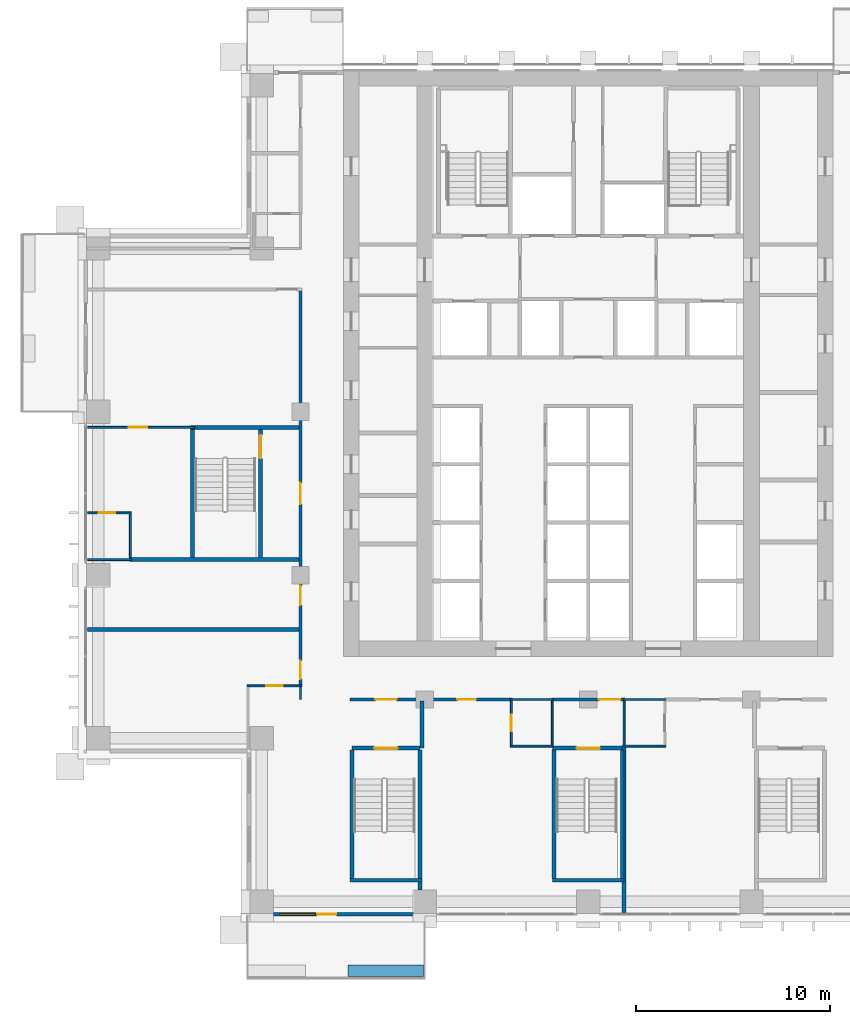
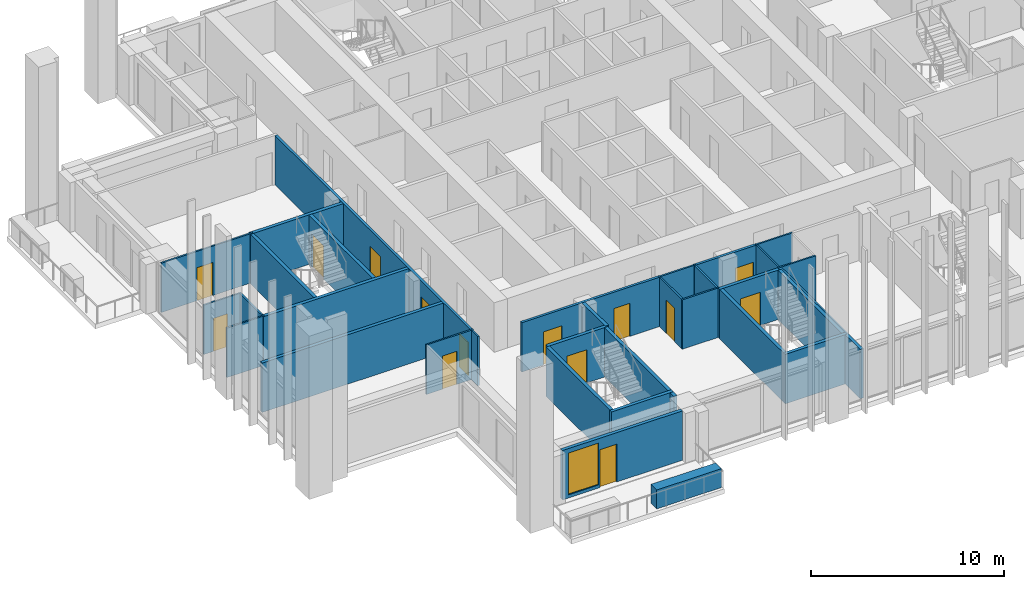
# One storey, part 7 of 18: 33 walls, 14 doors, 1 window, 15 openings.
"""IFC4 building model written with IfcOpenShell, lengths in metres."""

from ifc_helpers import new_model, si_unit, direction, frame, frame_2d, origin, place, context, subcontext, project, spatial, rectangle, extrude, material, layer, layer_set, type_object, element, fill, save


model = new_model("IFC4")

# Units and contexts
model_context = context("Model", 3, precision=1e-05, world=origin(), true_north=direction((0.0, 1.0)))
body_context = subcontext(model_context, "Body", "Model", "MODEL_VIEW")
ifc_project = project(units=[si_unit("LENGTHUNIT", "METRE"), si_unit("AREAUNIT", "SQUARE_METRE"), si_unit("VOLUMEUNIT", "CUBIC_METRE"), si_unit("PLANEANGLEUNIT", "RADIAN"), si_unit("MASSUNIT", "GRAM", prefix="KILO")], contexts=[model_context])

# Site, building, storey
site_placement = place(None, origin())
site = spatial("IfcSite", under=ifc_project, at=site_placement, CompositionType="ELEMENT")
building_placement = place(site_placement, origin())
building = spatial("IfcBuilding", under=site, at=building_placement, Name="Vermilion Ogive Tower", CompositionType="ELEMENT")
storey_placement = place(building_placement, frame((0.0, 0.0, 80.39990234375)))
storey = spatial("IfcBuildingStorey", under=building, at=storey_placement, Name="L19", CompositionType="ELEMENT", Elevation=80.39990234375)

# Walls
ifc_material_1 = material(Name="Gypsum board partition on steel studs", Category="steel")
ifc_layer_1 = layer(ifc_material_1, 0.10009765625)
ifc_layer_set_1 = layer_set([ifc_layer_1], Name="Partition 100 bath")
wall_type_1 = type_object("IfcWallType", Name="Partition 100 bath", PredefinedType="PARTITIONING", material=ifc_layer_set_1)
wall_1_placement = place(storey_placement, frame((-4.0, -13.0, 0.0), z_axis=(0.0, 0.0, 1.0), x_axis=(1.0, 0.0, 0.0)))
element("IfcWall", 1, at=wall_1_placement, inside=storey, type_object=wall_type_1, Name="L19-W-W005", PredefinedType="PARTITIONING", context=body_context, shape_type="SweptSolid", body=[
    extrude(rectangle(XDim=2.199951171875, YDim=0.10009765625, at=frame_2d((1.10009765625, 0.0))), origin(), (0.0, 0.0, 1.0), 3.130126953125),
])
wall_2_placement = place(storey_placement, frame((1.75, -13.0, 0.0), z_axis=(0.0, 0.0, 1.0), x_axis=(1.0, 0.0, 0.0)))
element("IfcWall", 2, at=wall_2_placement, inside=storey, type_object=wall_type_1, Name="L19-W-W006", PredefinedType="PARTITIONING", context=body_context, shape_type="SweptSolid", body=[
    extrude(rectangle(XDim=2.25, YDim=0.10009765625, at=frame_2d((1.125, 0.0))), origin(), (0.0, 0.0, 1.0), 3.130126953125),
])
for number, where, z_axis, x_axis, name in (
    (3, (-4.0, -10.60009765625, 0.0), (0.0, 0.0, 1.0), (1.0, 0.0, 0.0), "L19-W-W008"),
    (4, (1.800048828125, -10.60009765625, 0.0), (0.0, 0.0, 1.0), (1.0, 0.0, 0.0), "L19-W-W010"),
):
    element("IfcWall", number, at=place(storey_placement, frame(where, z_axis=z_axis, x_axis=x_axis)), inside=storey, type_object=wall_type_1, Name=name, PredefinedType="PARTITIONING", context=body_context, shape_type="SweptSolid", body=[
        extrude(rectangle(XDim=2.199951171875, YDim=0.10009765625, at=frame_2d((1.10009765625, 0.0))), origin(), (0.0, 0.0, 1.0), 3.130126953125),
    ])

# Wall, opening, door
wall_3_placement = place(storey_placement, frame((-17.550048828125, -9.89990234375, 0.0), z_axis=(0.0, 0.0, 1.0), x_axis=(1.0, 0.0, 0.0)))
wall_3 = element("IfcWall", 5, at=wall_3_placement, inside=storey, type_object=wall_type_1, Name="L19-W-W013", PredefinedType="PARTITIONING", context=body_context, shape_type="SweptSolid", body=[
    extrude(rectangle(XDim=2.824951171875, YDim=0.10009765625, at=frame_2d((1.41259765625, 0.0))), origin(), (0.0, 0.0, 1.0), 3.130126953125),
])
opening_1_placement = place(wall_3_placement, frame((0.97509765625, 0.0, 0.0)))
opening_1 = element("IfcOpeningElement", 6, at=opening_1_placement, cuts=wall_3, Name="Opening D2G1002", PredefinedType="OPENING", context=body_context, shape_type="SweptSolid", body=[
    extrude(rectangle(XDim=0.85009765625, YDim=2.10009765625, at=frame_2d((0.425048828125, 1.050048828125))), frame((0.0, 0.06005859375, 0.0), z_axis=(0.0, -1.0, 0.0), x_axis=(1.0, 0.0, 0.0)), (0.0, 0.0, 1.0), 0.1201171875),
])
ifc_material_2 = material(Name="Timber door leaf", Category="wood")
door_type_1 = type_object("IfcDoorType", Name="Bath door 850 x 2100 FD30", OperationType="SINGLE_SWING_LEFT", PredefinedType="DOOR", material=ifc_material_2)
door_1_placement = place(opening_1_placement, origin())
door_1 = element("IfcDoor", 7, at=door_1_placement, inside=storey, type_object=door_type_1, Name="L19-D-D002", OperationType="SINGLE_SWING_RIGHT", OverallHeight=2.10009765625, OverallWidth=0.85009765625, PredefinedType="DOOR", context=body_context, shape_type="SweptSolid", body=[
    extrude(rectangle(XDim=0.85009765625, YDim=2.10009765625, at=frame_2d((0.425048828125, 1.050048828125))), frame((0.0, 0.02490234375, 0.0), z_axis=(0.0, -1.0, 0.0), x_axis=(1.0, 0.0, 0.0)), (0.0, 0.0, 1.0), 0.050048828125),
])
fill(opening_1, door_1)

# Wall
wall_4_placement = place(storey_placement, frame((-25.75, -3.39990234375, 0.0), z_axis=(0.0, 0.0, 1.0), x_axis=(1.0, 0.0, 0.0)))
element("IfcWall", 8, at=wall_4_placement, inside=storey, type_object=wall_type_1, Name="L19-W-W016", PredefinedType="PARTITIONING", context=body_context, shape_type="SweptSolid", body=[
    extrude(rectangle(XDim=2.25, YDim=0.10009765625, at=frame_2d((1.125, 0.0))), origin(), (0.0, 0.0, 1.0), 3.130126953125),
])

# Wall, opening, door
wall_5_placement = place(storey_placement, frame((-25.75, -1.0, 0.0), z_axis=(0.0, 0.0, 1.0), x_axis=(1.0, 0.0, 0.0)))
wall_5 = element("IfcWall", 9, at=wall_5_placement, inside=storey, type_object=wall_type_1, Name="L19-W-W021", PredefinedType="PARTITIONING", context=body_context, shape_type="SweptSolid", body=[
    extrude(rectangle(XDim=2.25, YDim=0.10009765625, at=frame_2d((1.125, 0.0))), origin(), (0.0, 0.0, 1.0), 3.130126953125),
])
opening_2_placement = place(wall_5_placement, frame((0.574951171875, 0.0, 0.0)))
opening_2 = element("IfcOpeningElement", 10, at=opening_2_placement, cuts=wall_5, Name="Opening D2G1005", PredefinedType="OPENING", context=body_context, shape_type="SweptSolid", body=[
    extrude(rectangle(XDim=0.85009765625, YDim=2.10009765625, at=frame_2d((0.425048828125, 1.050048828125))), frame((0.0, 0.06005859375, 0.0), z_axis=(0.0, -1.0, 0.0), x_axis=(1.0, 0.0, 0.0)), (0.0, 0.0, 1.0), 0.1201171875),
])
door_2_placement = place(opening_2_placement, origin())
door_2 = element("IfcDoor", 11, at=door_2_placement, inside=storey, type_object=door_type_1, Name="L19-D-D005", OperationType="SINGLE_SWING_RIGHT", OverallHeight=2.10009765625, OverallWidth=0.85009765625, PredefinedType="DOOR", context=body_context, shape_type="SweptSolid", body=[
    extrude(rectangle(XDim=0.85009765625, YDim=2.10009765625, at=frame_2d((0.425048828125, 1.050048828125))), frame((0.0, 0.02490234375, 0.0), z_axis=(0.0, -1.0, 0.0), x_axis=(1.0, 0.0, 0.0)), (0.0, 0.0, 1.0), 0.050048828125),
])
fill(opening_2, door_2)

# Walls
wall_6_placement = place(storey_placement, frame((-23.550048828125, -3.300048828125, 0.0), z_axis=(0.0, 0.0, 1.0), x_axis=(0.0, 1.0, 0.0)))
element("IfcWall", 12, at=wall_6_placement, inside=storey, type_object=wall_type_1, Name="L19-W-W039", PredefinedType="PARTITIONING", context=body_context, shape_type="SweptSolid", body=[
    extrude(rectangle(XDim=2.25, YDim=0.10009765625, at=frame_2d((1.125, 0.0))), origin(), (0.0, 0.0, 1.0), 3.130126953125),
])
wall_7_placement = place(storey_placement, frame((-14.800048828125, -10.60009765625, 0.0), z_axis=(0.0, 0.0, 1.0), x_axis=(0.0, 1.0, 0.0)))
element("IfcWall", 13, at=wall_7_placement, inside=storey, type_object=wall_type_1, Name="L19-W-W044", PredefinedType="PARTITIONING", context=body_context, shape_type="SweptSolid", body=[
    extrude(rectangle(XDim=0.650146484375, YDim=0.10009765625, at=frame_2d((0.3251953125, 0.0))), origin(), (0.0, 0.0, 1.0), 3.130126953125),
])

# Wall, opening, door
wall_8_placement = place(storey_placement, frame((-3.949951171875, -12.949951171875, 0.0), z_axis=(0.0, 0.0, 1.0), x_axis=(0.0, 1.0, 0.0)))
wall_8 = element("IfcWall", 14, at=wall_8_placement, inside=storey, type_object=wall_type_1, Name="L19-W-W049", PredefinedType="PARTITIONING", context=body_context, shape_type="SweptSolid", body=[
    extrude(rectangle(XDim=2.27490234375, YDim=0.10009765625, at=frame_2d((1.137451171875, 0.0))), origin(), (0.0, 0.0, 1.0), 3.130126953125),
])
opening_3_placement = place(wall_8_placement, frame((0.724853515625, 0.0, 0.0)))
opening_3 = element("IfcOpeningElement", 15, at=opening_3_placement, cuts=wall_8, Name="Opening D2G1010", PredefinedType="OPENING", context=body_context, shape_type="SweptSolid", body=[
    extrude(rectangle(XDim=0.85009765625, YDim=2.10009765625, at=frame_2d((0.425048828125, 1.050048828125))), frame((0.0, 0.06005859375, 0.0), z_axis=(0.0, -1.0, 0.0), x_axis=(1.0, 0.0, 0.0)), (0.0, 0.0, 1.0), 0.1201171875),
])
door_3_placement = place(opening_3_placement, origin())
door_3 = element("IfcDoor", 16, at=door_3_placement, inside=storey, type_object=door_type_1, Name="L19-D-D010", OperationType="SINGLE_SWING_RIGHT", OverallHeight=2.10009765625, OverallWidth=0.85009765625, PredefinedType="DOOR", context=body_context, shape_type="SweptSolid", body=[
    extrude(rectangle(XDim=0.85009765625, YDim=2.10009765625, at=frame_2d((0.425048828125, 1.050048828125))), frame((0.0, 0.02490234375, 0.0), z_axis=(0.0, -1.0, 0.0), x_axis=(1.0, 0.0, 0.0)), (0.0, 0.0, 1.0), 0.050048828125),
])
fill(opening_3, door_3)

# Walls
for number, where, z_axis, x_axis, name in (
    (17, (-1.85009765625, -12.949951171875, 0.0), (0.0, 0.0, 1.0), (0.0, 1.0, 0.0), "L19-W-W050"),
    (18, (1.85009765625, -12.949951171875, 0.0), (0.0, 0.0, 1.0), (0.0, 1.0, 0.0), "L19-W-W054"),
):
    element("IfcWall", number, at=place(storey_placement, frame(where, z_axis=z_axis, x_axis=x_axis)), inside=storey, type_object=wall_type_1, Name=name, PredefinedType="PARTITIONING", context=body_context, shape_type="SweptSolid", body=[
        extrude(rectangle(XDim=2.27490234375, YDim=0.10009765625, at=frame_2d((1.137451171875, 0.0))), origin(), (0.0, 0.0, 1.0), 3.130126953125),
    ])

# Wall, opening, door
ifc_material_3 = material(Name="Gypsum board partition on steel studs", Category="steel")
ifc_layer_2 = layer(ifc_material_3, 0.10009765625)
ifc_layer_set_2 = layer_set([ifc_layer_2], Name="Partition 100 inner")
wall_type_2 = type_object("IfcWallType", Name="Partition 100 inner", PredefinedType="PARTITIONING", material=ifc_layer_set_2)
wall_9_placement = place(storey_placement, frame((-25.75, 3.39990234375, 0.0), z_axis=(0.0, 0.0, 1.0), x_axis=(1.0, 0.0, 0.0)))
wall_9 = element("IfcWall", 19, at=wall_9_placement, inside=storey, type_object=wall_type_2, Name="L19-W-W023", PredefinedType="PARTITIONING", context=body_context, shape_type="SweptSolid", body=[
    extrude(rectangle(XDim=5.5, YDim=0.10009765625, at=frame_2d((2.75, 0.0))), origin(), (0.0, 0.0, 1.0), 3.130126953125),
])
opening_4_placement = place(wall_9_placement, frame((2.125, 0.0, 0.0)))
opening_4 = element("IfcOpeningElement", 20, at=opening_4_placement, cuts=wall_9, Name="Opening D2G1004", PredefinedType="OPENING", context=body_context, shape_type="SweptSolid", body=[
    extrude(rectangle(XDim=0.949951171875, YDim=2.10009765625, at=frame_2d((0.47509765625, 1.050048828125))), frame((0.0, 0.06005859375, 0.0), z_axis=(0.0, -1.0, 0.0), x_axis=(1.0, 0.0, 0.0)), (0.0, 0.0, 1.0), 0.1201171875),
])
ifc_material_4 = material(Name="Timber door leaf", Category="wood")
door_type_2 = type_object("IfcDoorType", Name="Inner door 950 x 2100 FD30", OperationType="SINGLE_SWING_LEFT", PredefinedType="DOOR", material=ifc_material_4)
door_4_placement = place(opening_4_placement, origin())
door_4 = element("IfcDoor", 21, at=door_4_placement, inside=storey, type_object=door_type_2, Name="L19-D-D004", OperationType="SINGLE_SWING_LEFT", OverallHeight=2.10009765625, OverallWidth=0.949951171875, PredefinedType="DOOR", context=body_context, shape_type="SweptSolid", body=[
    extrude(rectangle(XDim=0.949951171875, YDim=2.10009765625, at=frame_2d((0.47509765625, 1.050048828125))), frame((0.0, 0.02490234375, 0.0), z_axis=(0.0, -1.0, 0.0), x_axis=(1.0, 0.0, 0.0)), (0.0, 0.0, 1.0), 0.050048828125),
])
fill(opening_4, door_4)

# Wall, openings, doors
ifc_material_5 = material(Name="Gypsum board partition on steel studs", Category="steel")
ifc_layer_3 = layer(ifc_material_5, 0.14990234375)
ifc_layer_set_3 = layer_set([ifc_layer_3], Name="Partition 150 corridor")
wall_type_3 = type_object("IfcWallType", Name="Partition 150 corridor", PredefinedType="PARTITIONING", material=ifc_layer_set_3)
wall_10_placement = place(storey_placement, frame((-12.25, -10.60009765625, 0.0), z_axis=(0.0, 0.0, 1.0), x_axis=(1.0, 0.0, 0.0)))
wall_10 = element("IfcWall", 22, at=wall_10_placement, inside=storey, type_object=wall_type_3, Name="L19-W-W007", PredefinedType="PARTITIONING", context=body_context, shape_type="SweptSolid", body=[
    extrude(rectangle(XDim=8.35009765625, YDim=0.14990234375, at=frame_2d((4.175048828125, 0.0))), origin(), (0.0, 0.0, 1.0), 3.130126953125),
])
opening_5_placement = place(wall_10_placement, frame((5.52490234375, 0.0, 0.0)))
opening_5 = element("IfcOpeningElement", 23, at=opening_5_placement, cuts=wall_10, Name="Opening D2G1009", PredefinedType="OPENING", context=body_context, shape_type="SweptSolid", body=[
    extrude(rectangle(XDim=0.949951171875, YDim=2.10009765625, at=frame_2d((0.47509765625, 1.050048828125))), frame((0.0, 0.0849609375, 0.0), z_axis=(0.0, -1.0, 0.0), x_axis=(1.0, 0.0, 0.0)), (0.0, 0.0, 1.0), 0.169921875),
])
opening_6_placement = place(wall_10_placement, frame((1.300048828125, 0.0, 0.0)))
opening_6 = element("IfcOpeningElement", 24, at=opening_6_placement, cuts=wall_10, Name="Opening D2G1023", PredefinedType="OPENING", context=body_context, shape_type="SweptSolid", body=[
    extrude(rectangle(XDim=1.10009765625, YDim=2.10009765625, at=frame_2d((0.550048828125, 1.050048828125))), frame((0.0, 0.0849609375, 0.0), z_axis=(0.0, -1.0, 0.0), x_axis=(1.0, 0.0, 0.0)), (0.0, 0.0, 1.0), 0.169921875),
])
ifc_material_6 = material(Name="Timber door leaf", Category="wood")
door_type_3 = type_object("IfcDoorType", Name="Stair door 1100 x 2100 FD60S", OperationType="SINGLE_SWING_LEFT", PredefinedType="DOOR", material=ifc_material_6)
door_5_placement = place(opening_6_placement, origin())
door_5 = element("IfcDoor", 25, at=door_5_placement, inside=storey, type_object=door_type_3, Name="L19-D-D023", OperationType="SINGLE_SWING_RIGHT", OverallHeight=2.10009765625, OverallWidth=1.10009765625, PredefinedType="DOOR", context=body_context, shape_type="SweptSolid", body=[
    extrude(rectangle(XDim=1.10009765625, YDim=2.10009765625, at=frame_2d((0.550048828125, 1.050048828125))), frame((0.0, 0.02490234375, 0.0), z_axis=(0.0, -1.0, 0.0), x_axis=(1.0, 0.0, 0.0)), (0.0, 0.0, 1.0), 0.050048828125),
])
fill(opening_6, door_5)
ifc_material_7 = material(Name="Timber door leaf", Category="wood")
door_type_4 = type_object("IfcDoorType", Name="Unit door 950 x 2100 FD30S", OperationType="SINGLE_SWING_LEFT", PredefinedType="DOOR", material=ifc_material_7)
door_6_placement = place(opening_5_placement, origin())
door_6 = element("IfcDoor", 26, at=door_6_placement, inside=storey, type_object=door_type_4, Name="L19-D-D009", OperationType="SINGLE_SWING_LEFT", OverallHeight=2.10009765625, OverallWidth=0.949951171875, PredefinedType="DOOR", context=body_context, shape_type="SweptSolid", body=[
    extrude(rectangle(XDim=0.949951171875, YDim=2.10009765625, at=frame_2d((0.47509765625, 1.050048828125))), frame((0.0, 0.02490234375, 0.0), z_axis=(0.0, -1.0, 0.0), x_axis=(1.0, 0.0, 0.0)), (0.0, 0.0, 1.0), 0.050048828125),
])
fill(opening_5, door_6)

# Wall, opening, door
wall_11_placement = place(storey_placement, frame((-1.89990234375, -10.60009765625, 0.0), z_axis=(0.0, 0.0, 1.0), x_axis=(1.0, 0.0, 0.0)))
wall_11 = element("IfcWall", 27, at=wall_11_placement, inside=storey, type_object=wall_type_3, Name="L19-W-W009", PredefinedType="PARTITIONING", context=body_context, shape_type="SweptSolid", body=[
    extrude(rectangle(XDim=3.7998046875, YDim=0.14990234375, at=frame_2d((1.89990234375, 0.0))), origin(), (0.0, 0.0, 1.0), 3.130126953125),
])
opening_7_placement = place(wall_11_placement, frame((2.449951171875, 0.0, 0.0)))
opening_7 = element("IfcOpeningElement", 28, at=opening_7_placement, cuts=wall_11, Name="Opening D2G1025", PredefinedType="OPENING", context=body_context, shape_type="SweptSolid", body=[
    extrude(rectangle(XDim=1.10009765625, YDim=2.10009765625, at=frame_2d((0.550048828125, 1.050048828125))), frame((0.0, 0.0849609375, 0.0), z_axis=(0.0, -1.0, 0.0), x_axis=(1.0, 0.0, 0.0)), (0.0, 0.0, 1.0), 0.169921875),
])
door_7_placement = place(opening_7_placement, origin())
door_7 = element("IfcDoor", 29, at=door_7_placement, inside=storey, type_object=door_type_3, Name="L19-D-D025", OperationType="SINGLE_SWING_LEFT", OverallHeight=2.10009765625, OverallWidth=1.10009765625, PredefinedType="DOOR", context=body_context, shape_type="SweptSolid", body=[
    extrude(rectangle(XDim=1.10009765625, YDim=2.10009765625, at=frame_2d((0.550048828125, 1.050048828125))), frame((0.0, 0.02490234375, 0.0), z_axis=(0.0, -1.0, 0.0), x_axis=(1.0, 0.0, 0.0)), (0.0, 0.0, 1.0), 0.050048828125),
])
fill(opening_7, door_7)

# Wall, openings, doors
wall_12_placement = place(storey_placement, frame((-14.800048828125, -9.85009765625, 0.0), z_axis=(0.0, 0.0, 1.0), x_axis=(0.0, 1.0, 0.0)))
wall_12 = element("IfcWall", 30, at=wall_12_placement, inside=storey, type_object=wall_type_3, Name="L19-W-W045", PredefinedType="PARTITIONING", context=body_context, shape_type="SweptSolid", body=[
    extrude(rectangle(XDim=20.275146484375, YDim=0.14990234375, at=frame_2d((10.1376953125, 0.0))), origin(), (0.0, 0.0, 1.0), 3.130126953125),
])
opening_8_placement = place(wall_12_placement, frame((0.300048828125, 0.0, 0.0)))
opening_8 = element("IfcOpeningElement", 31, at=opening_8_placement, cuts=wall_12, Name="Opening D2G1001", PredefinedType="OPENING", context=body_context, shape_type="SweptSolid", body=[
    extrude(rectangle(XDim=0.949951171875, YDim=2.10009765625, at=frame_2d((0.47509765625, 1.050048828125))), frame((0.0, 0.0849609375, 0.0), z_axis=(0.0, -1.0, 0.0), x_axis=(1.0, 0.0, 0.0)), (0.0, 0.0, 1.0), 0.169921875),
])
opening_9_placement = place(wall_12_placement, frame((9.300048828125, 0.0, 0.0)))
opening_9 = element("IfcOpeningElement", 32, at=opening_9_placement, cuts=wall_12, Name="Opening D2G1031", PredefinedType="OPENING", context=body_context, shape_type="SweptSolid", body=[
    extrude(rectangle(XDim=1.10009765625, YDim=2.10009765625, at=frame_2d((0.550048828125, 1.050048828125))), frame((0.0, 0.0849609375, 0.0), z_axis=(0.0, -1.0, 0.0), x_axis=(1.0, 0.0, 0.0)), (0.0, 0.0, 1.0), 0.169921875),
])
opening_10_placement = place(wall_12_placement, frame((4.10009765625, 0.0, 0.0)))
opening_10 = element("IfcOpeningElement", 33, at=opening_10_placement, cuts=wall_12, Name="Opening D2G1033", PredefinedType="OPENING", context=body_context, shape_type="SweptSolid", body=[
    extrude(rectangle(XDim=1.0, YDim=2.10009765625, at=frame_2d((0.5, 1.050048828125))), frame((0.0, 0.0849609375, 0.0), z_axis=(0.0, -1.0, 0.0), x_axis=(1.0, 0.0, 0.0)), (0.0, 0.0, 1.0), 0.169921875),
])
door_8_placement = place(opening_9_placement, origin())
door_8 = element("IfcDoor", 34, at=door_8_placement, inside=storey, type_object=door_type_3, Name="L19-D-D031", OperationType="SINGLE_SWING_RIGHT", OverallHeight=2.10009765625, OverallWidth=1.10009765625, PredefinedType="DOOR", context=body_context, shape_type="SweptSolid", body=[
    extrude(rectangle(XDim=1.10009765625, YDim=2.10009765625, at=frame_2d((0.550048828125, 1.050048828125))), frame((0.0, 0.02490234375, 0.0), z_axis=(0.0, -1.0, 0.0), x_axis=(1.0, 0.0, 0.0)), (0.0, 0.0, 1.0), 0.050048828125),
])
fill(opening_9, door_8)
ifc_material_8 = material(Name="Timber door leaf", Category="wood")
door_type_5 = type_object("IfcDoorType", Name="Unit door 1000 x 2100 FD30S", OperationType="SINGLE_SWING_LEFT", PredefinedType="DOOR", material=ifc_material_8)
door_9_placement = place(opening_10_placement, origin())
door_9 = element("IfcDoor", 35, at=door_9_placement, inside=storey, type_object=door_type_5, Name="L19-D-D033", OperationType="SINGLE_SWING_LEFT", OverallHeight=2.10009765625, OverallWidth=1.0, PredefinedType="DOOR", context=body_context, shape_type="SweptSolid", body=[
    extrude(rectangle(XDim=1.0, YDim=2.10009765625, at=frame_2d((0.5, 1.050048828125))), frame((0.0, 0.02490234375, 0.0), z_axis=(0.0, -1.0, 0.0), x_axis=(1.0, 0.0, 0.0)), (0.0, 0.0, 1.0), 0.050048828125),
])
fill(opening_10, door_9)
door_10_placement = place(opening_8_placement, origin())
door_10 = element("IfcDoor", 36, at=door_10_placement, inside=storey, type_object=door_type_4, Name="L19-D-D001", OperationType="SINGLE_SWING_LEFT", OverallHeight=2.10009765625, OverallWidth=0.949951171875, PredefinedType="DOOR", context=body_context, shape_type="SweptSolid", body=[
    extrude(rectangle(XDim=0.949951171875, YDim=2.10009765625, at=frame_2d((0.47509765625, 1.050048828125))), frame((0.0, 0.02490234375, 0.0), z_axis=(0.0, -1.0, 0.0), x_axis=(1.0, 0.0, 0.0)), (0.0, 0.0, 1.0), 0.050048828125),
])
fill(opening_8, door_10)

# Walls
ifc_material_9 = material(Name="Gypsum board partition on steel studs", Category="steel")
ifc_layer_4 = layer(ifc_material_9, 0.199951171875)
ifc_layer_set_4 = layer_set([ifc_layer_4], Name="Partition 200 party")
wall_type_4 = type_object("IfcWallType", Name="Partition 200 party", PredefinedType="PARTITIONING", material=ifc_layer_set_4)
wall_13_placement = place(storey_placement, frame((-25.75, -7.0, 0.0), z_axis=(0.0, 0.0, 1.0), x_axis=(1.0, 0.0, 0.0)))
element("IfcWall", 37, at=wall_13_placement, inside=storey, type_object=wall_type_4, Name="L19-W-W014", PredefinedType="PARTITIONING", context=body_context, shape_type="SweptSolid", body=[
    extrude(rectangle(XDim=10.875, YDim=0.199951171875, at=frame_2d((5.4375, 0.0))), origin(), (0.0, 0.0, 1.0), 3.130126953125),
])
wall_14_placement = place(storey_placement, frame((-8.550048828125, -13.10009765625, 0.0), z_axis=(0.0, 0.0, 1.0), x_axis=(0.0, 1.0, 0.0)))
element("IfcWall", 38, at=wall_14_placement, inside=storey, type_object=wall_type_4, Name="L19-W-W048", PredefinedType="PARTITIONING", context=body_context, shape_type="SweptSolid", body=[
    extrude(rectangle(XDim=2.425048828125, YDim=0.199951171875, at=frame_2d((1.21240234375, 0.0))), origin(), (0.0, 0.0, 1.0), 3.130126953125),
])
ifc_material_10 = material(Name="Concrete B60", Category="concrete")
ifc_layer_5 = layer(ifc_material_10, 0.199951171875)
ifc_layer_set_5 = layer_set([ifc_layer_5], Name="Stair shaft wall 200 Concrete B60")
wall_type_5 = type_object("IfcWallType", Name="Stair shaft wall 200 Concrete B60", PredefinedType="SOLIDWALL", material=ifc_layer_set_5)
wall_15_placement = place(storey_placement, frame((-1.847900390625, -19.89990234375, 0.0), z_axis=(0.0, 0.0, 1.0), x_axis=(1.0, 0.0, 0.0)))
element("IfcWall", 39, at=wall_15_placement, inside=storey, type_object=wall_type_5, Name="L19-W-W001", PredefinedType="SOLIDWALL", context=body_context, shape_type="SweptSolid", body=[
    extrude(rectangle(XDim=3.69580078125, YDim=0.199951171875, at=frame_2d((1.847900390625, 0.0))), origin(), (0.0, 0.0, 1.0), 3.130126953125),
])

# Wall, opening, door
wall_16_placement = place(storey_placement, frame((-12.14990234375, -13.10009765625, 0.0), z_axis=(0.0, 0.0, 1.0), x_axis=(1.0, 0.0, 0.0)))
wall_16 = element("IfcWall", 40, at=wall_16_placement, inside=storey, type_object=wall_type_5, Name="L19-W-W002", PredefinedType="SOLIDWALL", context=body_context, shape_type="SweptSolid", body=[
    extrude(rectangle(XDim=3.5, YDim=0.199951171875, at=frame_2d((1.75, 0.0))), origin(), (0.0, 0.0, 1.0), 3.130126953125),
])
opening_11_placement = place(wall_16_placement, frame((1.14990234375, 0.0, 0.0)))
opening_11 = element("IfcOpeningElement", 41, at=opening_11_placement, cuts=wall_16, Name="Opening D2G1024", PredefinedType="OPENING", context=body_context, shape_type="SweptSolid", body=[
    extrude(rectangle(XDim=1.199951171875, YDim=2.10009765625, at=frame_2d((0.60009765625, 1.050048828125))), frame((0.0, 0.10986328125, 0.0), z_axis=(0.0, -1.0, 0.0), x_axis=(1.0, 0.0, 0.0)), (0.0, 0.0, 1.0), 0.219970703125),
])
ifc_material_11 = material(Name="Timber door leaf", Category="wood")
door_type_6 = type_object("IfcDoorType", Name="Stair door 1200 x 2100 FD60S", OperationType="SINGLE_SWING_LEFT", PredefinedType="DOOR", material=ifc_material_11)
door_11_placement = place(opening_11_placement, origin())
door_11 = element("IfcDoor", 42, at=door_11_placement, inside=storey, type_object=door_type_6, Name="L19-D-D024", OperationType="SINGLE_SWING_RIGHT", OverallHeight=2.10009765625, OverallWidth=1.199951171875, PredefinedType="DOOR", context=body_context, shape_type="SweptSolid", body=[
    extrude(rectangle(XDim=1.199951171875, YDim=2.10009765625, at=frame_2d((0.60009765625, 1.050048828125))), frame((0.0, 0.02490234375, 0.0), z_axis=(0.0, -1.0, 0.0), x_axis=(1.0, 0.0, 0.0)), (0.0, 0.0, 1.0), 0.050048828125),
])
fill(opening_11, door_11)

wall_17_placement = place(storey_placement, frame((-1.847900390625, -13.10009765625, 0.0), z_axis=(0.0, 0.0, 1.0), x_axis=(1.0, 0.0, 0.0)))
wall_17 = element("IfcWall", 43, at=wall_17_placement, inside=storey, type_object=wall_type_5, Name="L19-W-W003", PredefinedType="SOLIDWALL", context=body_context, shape_type="SweptSolid", body=[
    extrude(rectangle(XDim=3.595947265625, YDim=0.199951171875, at=frame_2d((1.7978515625, 0.0))), origin(), (0.0, 0.0, 1.0), 3.130126953125),
])
opening_12_placement = place(wall_17_placement, frame((1.247802734375, 0.0, 0.0)))
opening_12 = element("IfcOpeningElement", 44, at=opening_12_placement, cuts=wall_17, Name="Opening D2G1026", PredefinedType="OPENING", context=body_context, shape_type="SweptSolid", body=[
    extrude(rectangle(XDim=1.199951171875, YDim=2.10009765625, at=frame_2d((0.60009765625, 1.050048828125))), frame((0.0, 0.10986328125, 0.0), z_axis=(0.0, -1.0, 0.0), x_axis=(1.0, 0.0, 0.0)), (0.0, 0.0, 1.0), 0.219970703125),
])
door_12_placement = place(opening_12_placement, origin())
door_12 = element("IfcDoor", 45, at=door_12_placement, inside=storey, type_object=door_type_6, Name="L19-D-D026", OperationType="SINGLE_SWING_RIGHT", OverallHeight=2.10009765625, OverallWidth=1.199951171875, PredefinedType="DOOR", context=body_context, shape_type="SweptSolid", body=[
    extrude(rectangle(XDim=1.199951171875, YDim=2.10009765625, at=frame_2d((0.60009765625, 1.050048828125))), frame((0.0, 0.02490234375, 0.0), z_axis=(0.0, -1.0, 0.0), x_axis=(1.0, 0.0, 0.0)), (0.0, 0.0, 1.0), 0.050048828125),
])
fill(opening_12, door_12)

# Walls
wall_18_placement = place(storey_placement, frame((-23.60009765625, -3.39990234375, 0.0), z_axis=(0.0, 0.0, 1.0), x_axis=(1.0, 0.0, 0.0)))
element("IfcWall", 46, at=wall_18_placement, inside=storey, type_object=wall_type_5, Name="L19-W-W017", PredefinedType="SOLIDWALL", context=body_context, shape_type="SweptSolid", body=[
    extrude(rectangle(XDim=8.72509765625, YDim=0.199951171875, at=frame_2d((4.362548828125, 0.0))), origin(), (0.0, 0.0, 1.0), 3.130126953125),
])
wall_19_placement = place(storey_placement, frame((-20.449951171875, 3.39990234375, 0.0), z_axis=(0.0, 0.0, 1.0), x_axis=(1.0, 0.0, 0.0)))
element("IfcWall", 47, at=wall_19_placement, inside=storey, type_object=wall_type_5, Name="L19-W-W024", PredefinedType="SOLIDWALL", context=body_context, shape_type="SweptSolid", body=[
    extrude(rectangle(XDim=5.574951171875, YDim=0.199951171875, at=frame_2d((2.78759765625, 0.0))), origin(), (0.0, 0.0, 1.0), 3.130126953125),
])

# Wall, opening, door
wall_20_placement = place(storey_placement, frame((-16.85009765625, -3.300048828125, 0.0), z_axis=(0.0, 0.0, 1.0), x_axis=(0.0, 1.0, 0.0)))
wall_20 = element("IfcWall", 48, at=wall_20_placement, inside=storey, type_object=wall_type_5, Name="L19-W-W043", PredefinedType="SOLIDWALL", context=body_context, shape_type="SweptSolid", body=[
    extrude(rectangle(XDim=6.60009765625, YDim=0.199951171875, at=frame_2d((3.300048828125, 0.0))), origin(), (0.0, 0.0, 1.0), 3.130126953125),
])
opening_13_placement = place(wall_20_placement, frame((5.10009765625, 0.0, 0.0)))
opening_13 = element("IfcOpeningElement", 49, at=opening_13_placement, cuts=wall_20, Name="Opening D2G1032", PredefinedType="OPENING", context=body_context, shape_type="SweptSolid", body=[
    extrude(rectangle(XDim=1.199951171875, YDim=2.10009765625, at=frame_2d((0.60009765625, 1.050048828125))), frame((0.0, 0.10986328125, 0.0), z_axis=(0.0, -1.0, 0.0), x_axis=(1.0, 0.0, 0.0)), (0.0, 0.0, 1.0), 0.219970703125),
])
door_13_placement = place(opening_13_placement, origin())
door_13 = element("IfcDoor", 50, at=door_13_placement, inside=storey, type_object=door_type_6, Name="L19-D-D032", OperationType="SINGLE_SWING_RIGHT", OverallHeight=2.10009765625, OverallWidth=1.199951171875, PredefinedType="DOOR", context=body_context, shape_type="SweptSolid", body=[
    extrude(rectangle(XDim=1.199951171875, YDim=2.10009765625, at=frame_2d((0.60009765625, 1.050048828125))), frame((0.0, 0.02490234375, 0.0), z_axis=(0.0, -1.0, 0.0), x_axis=(1.0, 0.0, 0.0)), (0.0, 0.0, 1.0), 0.050048828125),
])
fill(opening_13, door_13)

# Walls
for number, where, z_axis, x_axis, name in (
    (51, (-1.75, -19.798095703125, 0.0), (0.0, 0.0, 1.0), (0.0, 1.0, 0.0), "L19-W-W051"),
    (52, (1.75, -19.798095703125, 0.0), (0.0, 0.0, 1.0), (0.0, 1.0, 0.0), "L19-W-W052"),
):
    element("IfcWall", number, at=place(storey_placement, frame(where, z_axis=z_axis, x_axis=x_axis)), inside=storey, type_object=wall_type_5, Name=name, PredefinedType="SOLIDWALL", context=body_context, shape_type="SweptSolid", body=[
        extrude(rectangle(XDim=6.59619140625, YDim=0.199951171875, at=frame_2d((3.298095703125, 0.0))), origin(), (0.0, 0.0, 1.0), 3.130126953125),
    ])
wall_21_placement = place(storey_placement, frame((-12.25, -19.89990234375, 0.0), z_axis=(0.0, 0.0, 1.0), x_axis=(1.0, 0.0, 0.0)))
element("IfcWall", 53, at=wall_21_placement, inside=storey, type_object=wall_type_5, Name="L19-SW-ST3-S1", PredefinedType="SOLIDWALL", context=body_context, shape_type="SweptSolid", body=[
    extrude(rectangle(XDim=3.699951171875, YDim=0.199951171875, at=frame_2d((1.85009765625, 0.0))), origin(), (0.0, 0.0, 1.0), 3.130126953125),
])
wall_22_placement = place(storey_placement, frame((-12.14990234375, -19.800048828125, 0.0), z_axis=(0.0, 0.0, 1.0), x_axis=(0.0, 1.0, 0.0)))
element("IfcWall", 54, at=wall_22_placement, inside=storey, type_object=wall_type_5, Name="L19-SW-ST3-W1", PredefinedType="SOLIDWALL", context=body_context, shape_type="SweptSolid", body=[
    extrude(rectangle(XDim=6.60009765625, YDim=0.199951171875, at=frame_2d((3.300048828125, 0.0))), origin(), (0.0, 0.0, 1.0), 3.130126953125),
])
wall_23_placement = place(storey_placement, frame((-8.64990234375, -20.39990234375, 0.0), z_axis=(0.0, 0.0, 1.0), x_axis=(0.0, 1.0, 0.0)))
element("IfcWall", 55, at=wall_23_placement, inside=storey, type_object=wall_type_5, Name="L19-SW-ST3-E1", PredefinedType="SOLIDWALL", context=body_context, shape_type="SweptSolid", body=[
    extrude(rectangle(XDim=7.199951171875, YDim=0.199951171875, at=frame_2d((3.60009765625, 0.0))), origin(), (0.0, 0.0, 1.0), 3.130126953125),
])
wall_24_placement = place(storey_placement, frame((-20.35009765625, -3.300048828125, 0.0), z_axis=(0.0, 0.0, 1.0), x_axis=(0.0, 1.0, 0.0)))
element("IfcWall", 56, at=wall_24_placement, inside=storey, type_object=wall_type_5, Name="L19-W-W040-A", PredefinedType="SOLIDWALL", context=body_context, shape_type="SweptSolid", body=[
    extrude(rectangle(XDim=6.60009765625, YDim=0.199951171875, at=frame_2d((3.300048828125, 0.0))), origin(), (0.0, 0.0, 1.0), 3.130126953125),
])
wall_25_placement = place(storey_placement, frame((1.85009765625, -21.550048828125, 0.0), z_axis=(0.0, 0.0, 1.0), x_axis=(0.0, 1.0, 0.0)))
element("IfcWall", 57, at=wall_25_placement, inside=storey, type_object=wall_type_5, Name="L19-W-W053-A", PredefinedType="SOLIDWALL", context=body_context, shape_type="SweptSolid", body=[
    extrude(rectangle(XDim=8.5, YDim=0.199951171875, at=frame_2d((4.25, 0.0))), origin(), (0.0, 0.0, 1.0), 3.130126953125),
])
ifc_material_12 = material(Name="Concrete B40", Category="concrete")
ifc_layer_6 = layer(ifc_material_12, 0.60009765625)
ifc_layer_set_6 = layer_set([ifc_layer_6], Name="Structural planter")
wall_type_6 = type_object("IfcWallType", Name="Structural planter", PredefinedType="USERDEFINED", material=ifc_layer_set_6)
wall_26_placement = place(storey_placement, frame((-12.35009765625, -24.550048828125, -0.039794921875), z_axis=(0.0, 0.0, 1.0), x_axis=(1.0, 0.0, 0.0)))
element("IfcWall", 58, at=wall_26_placement, inside=storey, type_object=wall_type_6, Name="Planter S01A2", ObjectType="PLANTER", PredefinedType="USERDEFINED", context=body_context, shape_type="SweptSolid", body=[
    extrude(rectangle(XDim=3.89013671875, YDim=0.60009765625, at=frame_2d((1.945068359375, 0.0))), origin(), (0.0, 0.0, 1.0), 1.199951171875),
])

# Wall, openings, door, window
ifc_material_13 = material(Name="Aluminium window wall framing", Category="aluminium")
ifc_layer_7 = layer(ifc_material_13, 0.199951171875)
ifc_layer_set_7 = layer_set([ifc_layer_7], Name="Window wall")
wall_type_7 = type_object("IfcWallType", Name="Window wall", PredefinedType="STANDARD", material=ifc_layer_set_7)
wall_27_placement = place(storey_placement, frame((-16.199951171875, -21.64990234375, 0.0), z_axis=(0.0, 0.0, 1.0), x_axis=(1.0, 0.0, 0.0)))
wall_27 = element("IfcWall", 59, at=wall_27_placement, inside=storey, type_object=wall_type_7, Name="Window wall S1", PredefinedType="STANDARD", context=body_context, shape_type="SweptSolid", body=[
    extrude(rectangle(XDim=7.199951171875, YDim=0.199951171875, at=frame_2d((3.60009765625, 0.0))), origin(), (0.0, 0.0, 1.0), 3.130126953125),
])
opening_14_placement = place(wall_27_placement, frame((0.35009765625, 0.0, 0.199951171875)))
opening_14 = element("IfcOpeningElement", 60, at=opening_14_placement, cuts=wall_27, Name="Opening W1-S96", PredefinedType="OPENING", context=body_context, shape_type="SweptSolid", body=[
    extrude(rectangle(XDim=1.800048828125, YDim=2.64990234375, at=frame_2d((0.89990234375, 1.324951171875))), frame((0.0, 0.10986328125, 0.0), z_axis=(0.0, -1.0, 0.0), x_axis=(1.0, 0.0, 0.0)), (0.0, 0.0, 1.0), 0.219970703125),
])
opening_15_placement = place(wall_27_placement, frame((2.25, 0.0, 0.0)))
opening_15 = element("IfcOpeningElement", 61, at=opening_15_placement, cuts=wall_27, Name="Opening D1-S96", PredefinedType="OPENING", context=body_context, shape_type="SweptSolid", body=[
    extrude(rectangle(XDim=1.0, YDim=2.39990234375, at=frame_2d((0.5, 1.199951171875))), frame((0.0, 0.10986328125, 0.0), z_axis=(0.0, -1.0, 0.0), x_axis=(1.0, 0.0, 0.0)), (0.0, 0.0, 1.0), 0.219970703125),
])
ifc_material_14 = material(Name="Aluminium framed glazed door", Category="aluminium")
door_type_7 = type_object("IfcDoorType", Name="Balcony door D1", OperationType="SINGLE_SWING_LEFT", PredefinedType="DOOR", material=ifc_material_14)
door_14_placement = place(opening_15_placement, origin())
door_14 = element("IfcDoor", 62, at=door_14_placement, inside=storey, type_object=door_type_7, Name="Balcony door S96", OperationType="SINGLE_SWING_LEFT", OverallHeight=2.39990234375, OverallWidth=1.0, PredefinedType="DOOR", context=body_context, shape_type="SweptSolid", body=[
    extrude(rectangle(XDim=1.0, YDim=2.39990234375, at=frame_2d((0.5, 1.199951171875))), frame((0.0, 0.02490234375, 0.0), z_axis=(0.0, -1.0, 0.0), x_axis=(1.0, 0.0, 0.0)), (0.0, 0.0, 1.0), 0.050048828125),
])
fill(opening_15, door_14)
ifc_material_15 = material(Name="Aluminium framed double glazing", Category="aluminium")
window_type = type_object("IfcWindowType", Name="Guest window W1", PartitioningType="SINGLE_PANEL", PredefinedType="WINDOW", material=ifc_material_15)
window_placement = place(opening_14_placement, origin())
window = element("IfcWindow", 63, at=window_placement, inside=storey, type_object=window_type, Name="Window S96", OverallHeight=2.64990234375, OverallWidth=1.800048828125, PartitioningType="SINGLE_PANEL", PredefinedType="WINDOW", context=body_context, shape_type="SweptSolid", body=[
    extrude(rectangle(XDim=1.800048828125, YDim=2.64990234375, at=frame_2d((0.89990234375, 1.324951171875))), frame((0.0, 0.030029296875, 0.0), z_axis=(0.0, -1.0, 0.0), x_axis=(1.0, 0.0, 0.0)), (0.0, 0.0, 1.0), 0.06005859375),
])
fill(opening_14, window)

save(model, "model.ifc")
